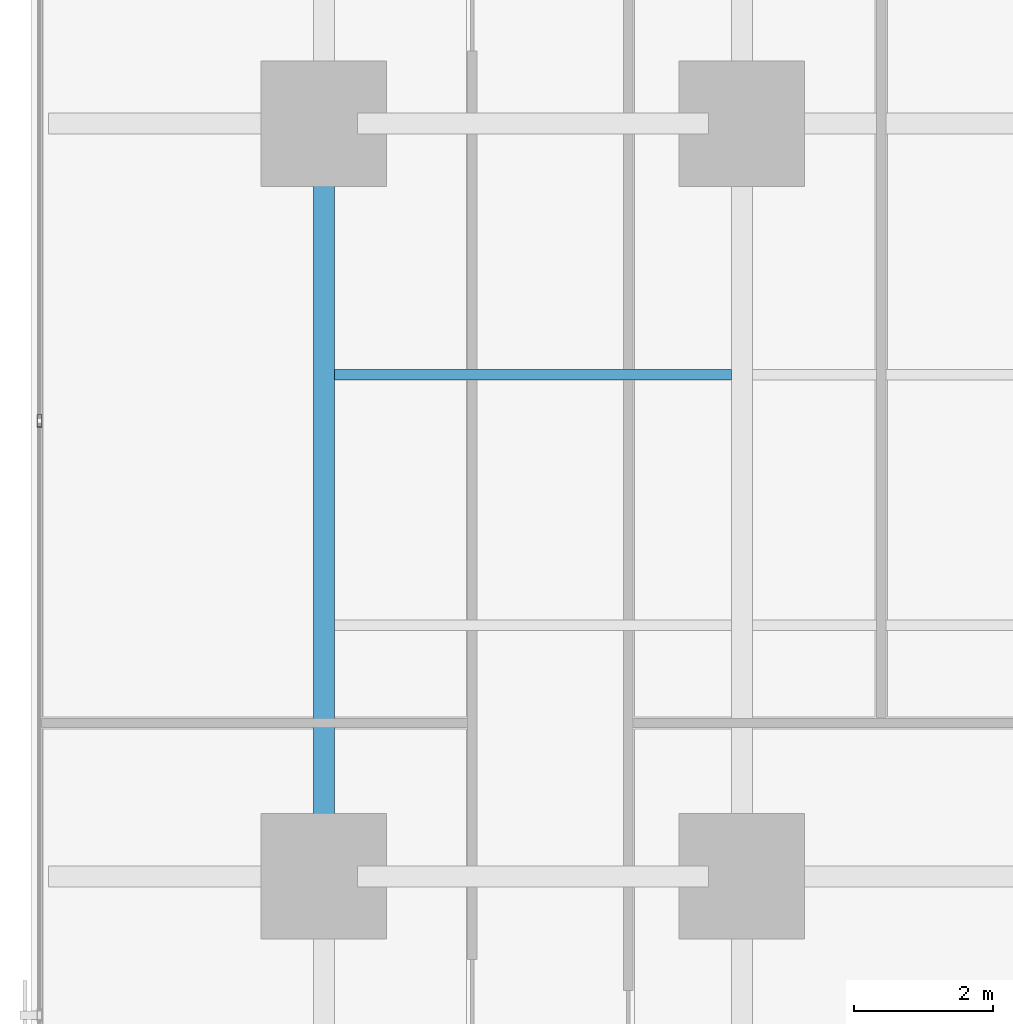
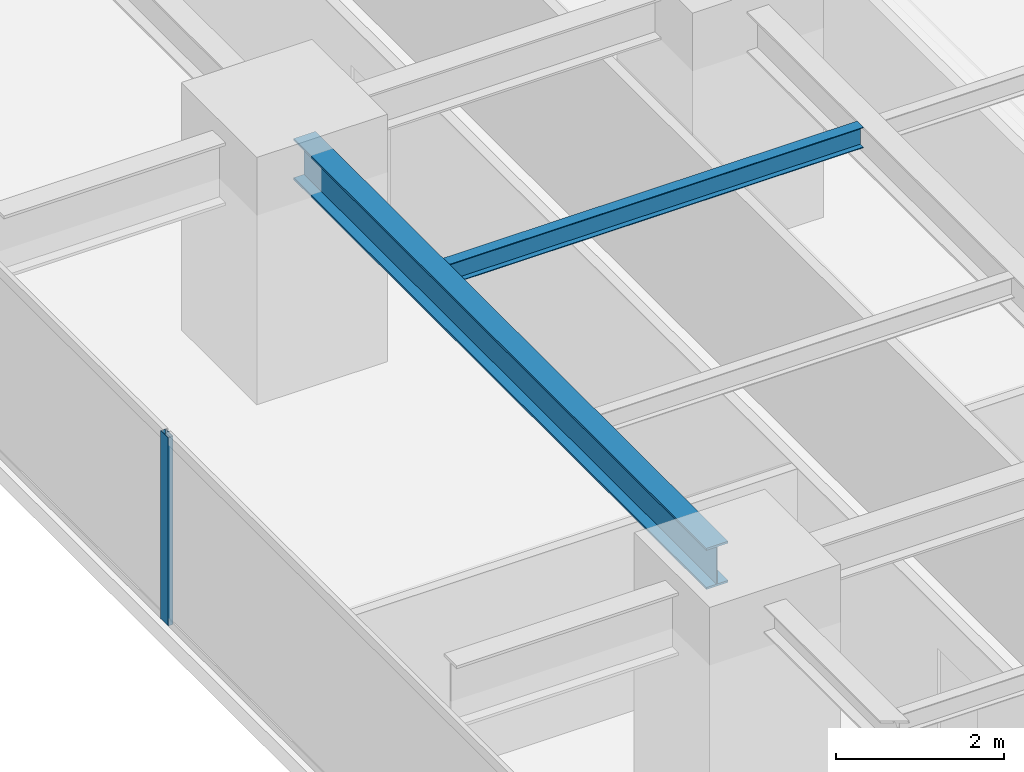
# One storey, part 7 of 34: 2 beams, 1 member, 1 element without a shape of its own.
"""IFC4 building model written with IfcOpenShell, lengths in metres."""

from ifc_helpers import new_model, si_unit, direction, frame, origin, origin_2d, place, context, subcontext, project, spatial, hollow_rectangle, i_section, extrude, source, transform, mapped, material, layer, layer_set, material_profile, profile_set, type_object, element, aggregate, save


model = new_model("IFC4")

# Units and contexts
model_context = context("Model", 3, precision=1e-05, world=origin(), true_north=direction((0.0, 1.0)))
body_context = subcontext(model_context, "Body", "Model", "MODEL_VIEW")
ifc_project = project(units=[si_unit("LENGTHUNIT", "METRE"), si_unit("AREAUNIT", "SQUARE_METRE"), si_unit("VOLUMEUNIT", "CUBIC_METRE"), si_unit("PLANEANGLEUNIT", "RADIAN"), si_unit("MASSUNIT", "GRAM", prefix="KILO")], contexts=[model_context])

# Site, building, storey
site_placement = place(None, origin())
site = spatial("IfcSite", under=ifc_project, at=site_placement, CompositionType="ELEMENT")
building_placement = place(site_placement, origin())
building = spatial("IfcBuilding", under=site, at=building_placement, Name="Sumidabori Civic Tower", CompositionType="ELEMENT")
storey_placement = place(building_placement, frame((0.0, 0.0, 34.39990234375)))
storey = spatial("IfcBuildingStorey", under=building, at=storey_placement, Name="L08", CompositionType="ELEMENT", Elevation=34.39990234375)

# Beams
ifc_material_1 = material(Name="Steel SN490", Category="steel")
ifc_material_profile_1 = material_profile(ifc_material_1, i_section(OverallWidth=0.300048828125, OverallDepth=0.60009765625, WebThickness=0.015380859375, FlangeThickness=0.030029296875, at=origin_2d()), Name="HE 600 B")
ifc_profile_set_1 = profile_set([ifc_material_profile_1], Name="Steel SN490")
beam_type_1 = type_object("IfcBeamType", Name="BM-GIRD-600", PredefinedType="BEAM", material=ifc_profile_set_1)
shared_shape_1 = source(origin(), body_context, "Body", "SweptSolid", [
    extrude(i_section(OverallWidth=0.300048828125, OverallDepth=0.60009765625, WebThickness=0.015380859375, FlangeThickness=0.030029296875, at=origin_2d()), origin(), (0.0, 0.0, 1.0), 9.840087890625),
])
beam_1_placement = place(storey_placement, frame((-22.800048828125, -10.320068359375, 3.06005859375), z_axis=(0.0, 1.0, 0.0), x_axis=(-1.0, 0.0, 0.0)))
element("IfcBeam", 1, at=beam_1_placement, inside=storey, type_object=beam_type_1, Name="Primary Girder L08 GY-22", PredefinedType="BEAM", context=body_context, shape_type="MappedRepresentation", body=[
    mapped(shared_shape_1, transform((0.0, 0.0, 0.0), x_axis=(1.0, 0.0, 0.0), y_axis=(0.0, 1.0, 0.0), z_axis=(0.0, 0.0, 1.0), scale=1.0)),
])
ifc_material_profile_2 = material_profile(ifc_material_1, i_section(OverallWidth=0.14990234375, OverallDepth=0.300048828125, WebThickness=0.007080078125, FlangeThickness=0.0107421875, at=origin_2d()), Name="IPE 300")
ifc_profile_set_2 = profile_set([ifc_material_profile_2], Name="Steel SN490")
beam_type_2 = type_object("IfcBeamType", Name="BM-JST-300", PredefinedType="JOIST", material=ifc_profile_set_2)
shared_shape_2 = source(origin(), body_context, "Body", "SweptSolid", [
    extrude(i_section(OverallWidth=0.14990234375, OverallDepth=0.300048828125, WebThickness=0.007080078125, FlangeThickness=0.0107421875, at=origin_2d()), origin(), (0.0, 0.0, 1.0), 5.699951171875),
])
beam_2_placement = place(storey_placement, frame((-22.64990234375, -3.60009765625, 3.210205078125), z_axis=(1.0, 0.0, 0.0), x_axis=(0.0, 1.0, 0.0)))
element("IfcBeam", 2, at=beam_2_placement, inside=storey, type_object=beam_type_2, Name="Outer Bay Floor Joist L08 JSTO-51", PredefinedType="JOIST", context=body_context, shape_type="MappedRepresentation", body=[
    mapped(shared_shape_2, transform((0.0, 0.0, 0.0), x_axis=(1.0, 0.0, 0.0), y_axis=(0.0, 1.0, 0.0), z_axis=(0.0, 0.0, 1.0), scale=1.0)),
])

# Curtain wall, member
ifc_material_2 = material(Name="Anodised Bronze Aluminium AW-6063-T6", Category="aluminium")
ifc_layer = layer(ifc_material_2, 0.179931640625, Name="Anodised Bronze Aluminium AW-6063-T6")
ifc_layer_set = layer_set([ifc_layer], Name="Anodised Bronze Aluminium AW-6063-T6")
curtain_wall_type = type_object("IfcCurtainWallType", Name="CW-SYS-2", PredefinedType="NOTDEFINED", material=ifc_layer_set)
curtain_wall_placement = place(storey_placement, origin())
curtain_wall = element("IfcCurtainWall", 3, at=curtain_wall_placement, inside=storey, type_object=curtain_wall_type, Name="Curtain Wall CW:L08:R10", PredefinedType="NOTDEFINED")
ifc_material_profile_3 = material_profile(ifc_material_2, hollow_rectangle(XDim=0.070068359375, YDim=0.179931640625, WallThickness=0.006103515625, at=origin_2d()), Name="ALU MULLION 180x70")
ifc_profile_set_3 = profile_set([ifc_material_profile_3], Name="Anodised Bronze Aluminium AW-6063-T6")
member_type = type_object("IfcMemberType", Name="CW-MUL-180", PredefinedType="MULLION", material=ifc_profile_set_3)
shared_shape_3 = source(origin(), body_context, "Body", "SweptSolid", [
    extrude(hollow_rectangle(XDim=0.070068359375, YDim=0.179931640625, WallThickness=0.006103515625, at=origin_2d()), origin(), (0.0, 0.0, 1.0), 2.739990234375),
])
member_placement = place(storey_placement, frame((-26.8798828125, -4.263916015625, 0.0), z_axis=(0.0, 0.0, 1.0), x_axis=(1.0, 0.0, 0.0)))
member = element("IfcMember", 4, at=member_placement, type_object=member_type, Name="CW-2 mullion 4", PredefinedType="MULLION", context=body_context, shape_type="MappedRepresentation", body=[
    mapped(shared_shape_3, transform((0.0, 0.0, 0.0), x_axis=(1.0, 0.0, 0.0), y_axis=(0.0, 1.0, 0.0), z_axis=(0.0, 0.0, 1.0), scale=1.0)),
])
aggregate(curtain_wall, [member])

save(model, "model.ifc")
